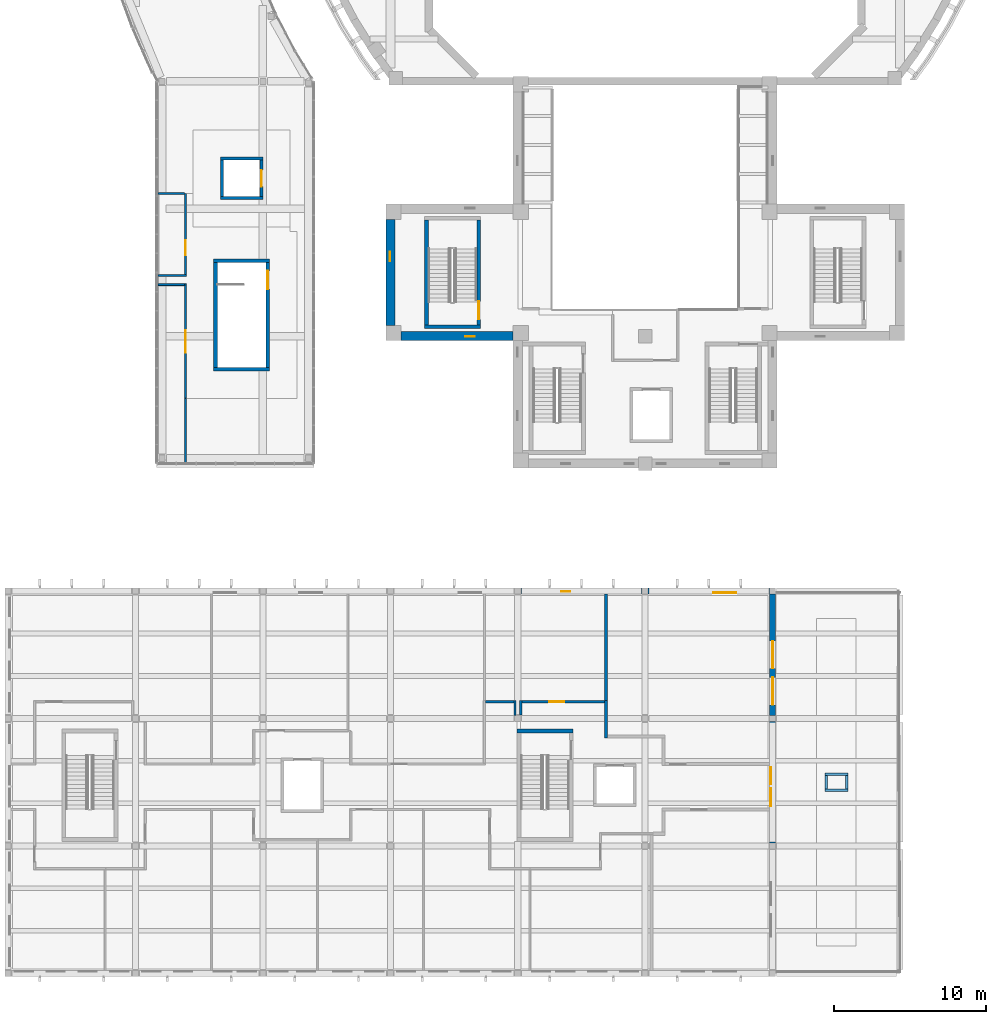
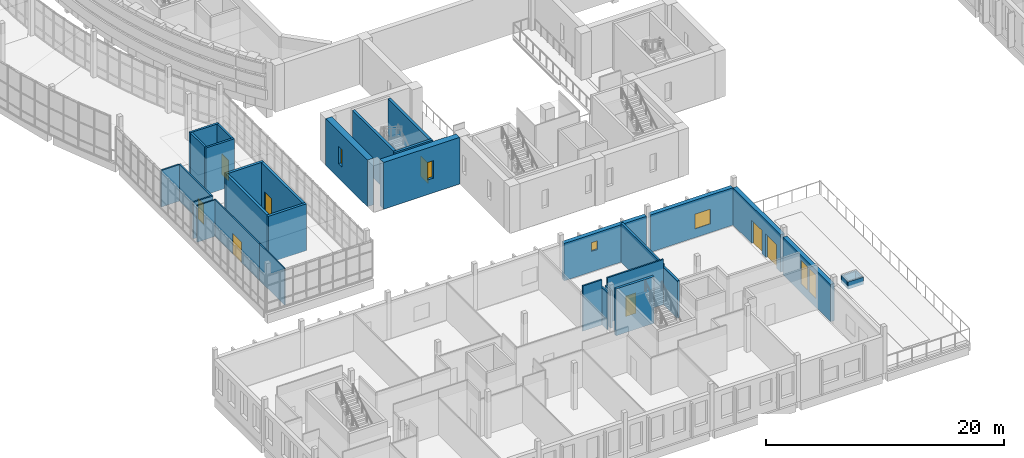
# One storey, part 52 of 103: 34 walls, 8 doors, 6 windows, 14 openings.
"""IFC4 building model written with IfcOpenShell, lengths in metres."""

from ifc_helpers import new_model, si_unit, direction, frame, frame_2d, origin, place, context, subcontext, project, spatial, rectangle, extrude, material, layer, layer_set, type_object, element, fill, save


model = new_model("IFC4")

# Units and contexts
model_context = context("Model", 3, precision=1e-05, world=origin(), true_north=direction((0.0, 1.0)))
body_context = subcontext(model_context, "Body", "Model", "MODEL_VIEW")
ifc_project = project(units=[si_unit("LENGTHUNIT", "METRE"), si_unit("AREAUNIT", "SQUARE_METRE"), si_unit("VOLUMEUNIT", "CUBIC_METRE"), si_unit("PLANEANGLEUNIT", "RADIAN"), si_unit("MASSUNIT", "GRAM", prefix="KILO")], contexts=[model_context])

# Site, building, storey
site_placement = place(None, origin())
site = spatial("IfcSite", under=ifc_project, at=site_placement, CompositionType="ELEMENT")
building_placement = place(site_placement, origin())
building = spatial("IfcBuilding", under=site, at=building_placement, Name="Larchfold Concert Hall", CompositionType="ELEMENT")
storey_placement = place(building_placement, frame((0.0, 0.0, 9.60009765625)))
storey = spatial("IfcBuildingStorey", under=building, at=storey_placement, Name="L02", CompositionType="ELEMENT", Elevation=9.60009765625)

# Walls
ifc_material_1 = material(Name="Plasterboard partition on steel studs", Category="steel")
ifc_layer_1 = layer(ifc_material_1, 0.199951171875)
ifc_layer_set_1 = layer_set([ifc_layer_1], Name="Plasterboard partition on steel studs")
wall_type_1 = type_object("IfcWallType", Name="Acoustic partition 200", PredefinedType="PARTITIONING", material=ifc_layer_set_1)
wall_1_placement = place(storey_placement, frame((40.0, 18.574951171875, 0.0), z_axis=(0.0, 0.0, 1.0), x_axis=(0.0, -1.0, 0.0)))
element("IfcWall", 1, at=wall_1_placement, inside=storey, type_object=wall_type_1, Name="Partition IW0097", PredefinedType="PARTITIONING", context=body_context, shape_type="SweptSolid", body=[
    extrude(rectangle(XDim=2.475830078125, YDim=0.199951171875, at=frame_2d((1.23779296875, 0.0))), origin(), (0.0, 0.0, 1.0), 3.840087890625),
])
wall_2_placement = place(storey_placement, frame((40.0, 18.574951171875, 0.0), z_axis=(0.0, 0.0, 1.0), x_axis=(0.0, 1.0, 0.0)))
element("IfcWall", 2, at=wall_2_placement, inside=storey, type_object=wall_type_1, Name="Partition IW0111", PredefinedType="PARTITIONING", context=body_context, shape_type="SweptSolid", body=[
    extrude(rectangle(XDim=7.025146484375, YDim=0.199951171875, at=frame_2d((3.5126953125, 0.0))), origin(), (0.0, 0.0, 1.0), 4.039794921875),
])

# Wall, opening, door
ifc_material_2 = material(Name="Plasterboard partition on steel studs", Category="steel")
ifc_layer_2 = layer(ifc_material_2, 0.125)
ifc_layer_set_2 = layer_set([ifc_layer_2], Name="Plasterboard partition on steel studs")
wall_type_2 = type_object("IfcWallType", Name="Corridor partition 125 EI 60", PredefinedType="PARTITIONING", material=ifc_layer_set_2)
wall_3_placement = place(storey_placement, frame((12.300048828125, 38.5, 0.0), z_axis=(0.0, 0.0, 1.0), x_axis=(0.0, 1.0, 0.0)))
wall_3 = element("IfcWall", 3, at=wall_3_placement, inside=storey, type_object=wall_type_2, Name="Partition IW0112", PredefinedType="PARTITIONING", context=body_context, shape_type="SweptSolid", body=[
    extrude(rectangle(XDim=7.5625, YDim=0.125, at=frame_2d((3.78125, 0.0))), origin(), (0.0, 0.0, 1.0), 3.75),
])
opening_1_placement = place(wall_3_placement, frame((2.990234375, 0.0, 0.0)))
opening_1 = element("IfcOpeningElement", 4, at=opening_1_placement, cuts=wall_3, Name="Opening D-L02-134", PredefinedType="OPENING", context=body_context, shape_type="SweptSolid", body=[
    extrude(rectangle(XDim=1.5, YDim=2.10009765625, at=frame_2d((0.75, 1.050048828125))), frame((0.0, 0.072509765625, 0.0), z_axis=(0.0, -1.0, 0.0), x_axis=(1.0, 0.0, 0.0)), (0.0, 0.0, 1.0), 0.14501953125),
])
ifc_material_3 = material(Name="Timber door leaf", Category="wood")
door_type_1 = type_object("IfcDoorType", Name="Cafe, shop and cloakroom door pair 1500 x 2100 FD30S", OperationType="SINGLE_SWING_LEFT", PredefinedType="DOOR", material=ifc_material_3)
door_1_placement = place(opening_1_placement, origin())
door_1 = element("IfcDoor", 5, at=door_1_placement, inside=storey, type_object=door_type_1, Name="Door D-L02-134", OperationType="DOUBLE_DOOR_SINGLE_SWING", OverallHeight=2.10009765625, OverallWidth=1.5, PredefinedType="DOOR", context=body_context, shape_type="SweptSolid", body=[
    extrude(rectangle(XDim=1.5, YDim=2.10009765625, at=frame_2d((0.75, 1.050048828125))), frame((0.0, 0.02490234375, 0.0), z_axis=(0.0, -1.0, 0.0), x_axis=(1.0, 0.0, 0.0)), (0.0, 0.0, 1.0), 0.050048828125),
])
fill(opening_1, door_1)

# Walls
wall_4_placement = place(storey_placement, frame((12.237548828125, 46.0, 0.0), z_axis=(0.0, 0.0, 1.0), x_axis=(-1.0, 0.0, 0.0)))
element("IfcWall", 6, at=wall_4_placement, inside=storey, type_object=wall_type_2, Name="Partition IW0113", PredefinedType="PARTITIONING", context=body_context, shape_type="SweptSolid", body=[
    extrude(rectangle(XDim=1.754150390625, YDim=0.125, at=frame_2d((0.876953125, 0.0))), origin(), (0.0, 0.0, 1.0), 3.75),
])
wall_5_placement = place(storey_placement, frame((12.300048828125, 38.5, 0.0), z_axis=(0.0, 0.0, 1.0), x_axis=(0.0, -1.0, 0.0)))
element("IfcWall", 7, at=wall_5_placement, inside=storey, type_object=wall_type_2, Name="Partition IW0116", PredefinedType="PARTITIONING", context=body_context, shape_type="SweptSolid", body=[
    extrude(rectangle(XDim=4.22509765625, YDim=0.125, at=frame_2d((2.112548828125, 0.0))), origin(), (0.0, 0.0, 1.0), 3.75),
])

# Wall, openings, windows
ifc_material_4 = material(Name="Larch cladding on mineral wool and CLT", Category="wood")
ifc_layer_3 = layer(ifc_material_4, 0.39990234375)
ifc_layer_set_3 = layer_set([ifc_layer_3], Name="Larch cladding on mineral wool and CLT")
wall_type_3 = type_object("IfcWallType", Name="Larch clad infill wall 400", PredefinedType="SOLIDWALL", material=ifc_layer_set_3)
wall_6_placement = place(storey_placement, frame((51.0, 9.199951171875, 0.0), z_axis=(0.0, 0.0, 1.0), x_axis=(0.0, 1.0, 0.0)))
wall_6 = element("IfcWall", 8, at=wall_6_placement, inside=storey, type_object=wall_type_3, Name="Infill wall W5035", PredefinedType="SOLIDWALL", context=body_context, shape_type="SweptSolid", body=[
    extrude(rectangle(XDim=8.0, YDim=0.39990234375, at=frame_2d((4.0, 0.0))), origin(), (0.0, 0.0, 1.0), 3.840087890625),
])
opening_2_placement = place(wall_6_placement, frame((2.405029296875, 0.0, 0.89990234375)))
opening_2 = element("IfcOpeningElement", 9, at=opening_2_placement, cuts=wall_6, Name="Opening WN-L02-019", PredefinedType="OPENING", context=body_context, shape_type="SweptSolid", body=[
    extrude(rectangle(XDim=1.199951171875, YDim=2.39990234375, at=frame_2d((0.60009765625, 1.199951171875))), frame((0.0, 0.2099609375, 0.0), z_axis=(0.0, -1.0, 0.0), x_axis=(1.0, 0.0, 0.0)), (0.0, 0.0, 1.0), 0.419921875),
])
opening_3_placement = place(wall_6_placement, frame((3.876953125, 0.0, 0.89990234375)))
opening_3 = element("IfcOpeningElement", 10, at=opening_3_placement, cuts=wall_6, Name="Opening WN-L02-020", PredefinedType="OPENING", context=body_context, shape_type="SweptSolid", body=[
    extrude(rectangle(XDim=1.10009765625, YDim=2.39990234375, at=frame_2d((0.550048828125, 1.199951171875))), frame((0.0, 0.2099609375, 0.0), z_axis=(0.0, -1.0, 0.0), x_axis=(1.0, 0.0, 0.0)), (0.0, 0.0, 1.0), 0.419921875),
])
ifc_material_5 = material(Name="Anodised graphite aluminium frame with glass", Category="aluminium")
window_type_1 = type_object("IfcWindowType", Name="Slot window 1100x2400", PartitioningType="SINGLE_PANEL", PredefinedType="WINDOW", material=ifc_material_5)
window_1_placement = place(opening_3_placement, origin())
window_1 = element("IfcWindow", 11, at=window_1_placement, inside=storey, type_object=window_type_1, Name="Window WN-L02-020", OverallHeight=2.39990234375, OverallWidth=1.10009765625, PartitioningType="SINGLE_PANEL", PredefinedType="WINDOW", context=body_context, shape_type="SweptSolid", body=[
    extrude(rectangle(XDim=1.10009765625, YDim=2.39990234375, at=frame_2d((0.550048828125, 1.199951171875))), frame((0.0, 0.150146484375, 0.0), z_axis=(0.0, -1.0, 0.0), x_axis=(1.0, 0.0, 0.0)), (0.0, 0.0, 1.0), 0.06005859375),
])
fill(opening_3, window_1)
ifc_material_6 = material(Name="Anodised graphite aluminium frame with glass", Category="aluminium")
window_type_2 = type_object("IfcWindowType", Name="Slot window 1200x2400", PartitioningType="SINGLE_PANEL", PredefinedType="WINDOW", material=ifc_material_6)
window_2_placement = place(opening_2_placement, origin())
window_2 = element("IfcWindow", 12, at=window_2_placement, inside=storey, type_object=window_type_2, Name="Window WN-L02-019", OverallHeight=2.39990234375, OverallWidth=1.199951171875, PartitioningType="SINGLE_PANEL", PredefinedType="WINDOW", context=body_context, shape_type="SweptSolid", body=[
    extrude(rectangle(XDim=1.199951171875, YDim=2.39990234375, at=frame_2d((0.60009765625, 1.199951171875))), frame((0.0, 0.150146484375, 0.0), z_axis=(0.0, -1.0, 0.0), x_axis=(1.0, 0.0, 0.0)), (0.0, 0.0, 1.0), 0.06005859375),
])
fill(opening_2, window_2)

# Wall, openings, doors
wall_7_placement = place(storey_placement, frame((51.0, 17.599853515625, 0.0), z_axis=(0.0, 0.0, 1.0), x_axis=(0.0, 1.0, 0.0)))
wall_7 = element("IfcWall", 13, at=wall_7_placement, inside=storey, type_object=wall_type_3, Name="Infill wall W5036", PredefinedType="SOLIDWALL", context=body_context, shape_type="SweptSolid", body=[
    extrude(rectangle(XDim=8.000244140625, YDim=0.39990234375, at=frame_2d((4.0, 0.0))), origin(), (0.0, 0.0, 1.0), 3.840087890625),
])
opening_4_placement = place(wall_7_placement, frame((3.10009765625, 0.0, 0.0)))
opening_4 = element("IfcOpeningElement", 14, at=opening_4_placement, cuts=wall_7, Name="Opening D-L02-201", PredefinedType="OPENING", context=body_context, shape_type="SweptSolid", body=[
    extrude(rectangle(XDim=1.800048828125, YDim=2.39990234375, at=frame_2d((0.89990234375, 1.199951171875))), frame((0.0, 0.2099609375, 0.0), z_axis=(0.0, -1.0, 0.0), x_axis=(1.0, 0.0, 0.0)), (0.0, 0.0, 1.0), 0.419921875),
])
opening_5_placement = place(wall_7_placement, frame((0.699951171875, 0.0, 0.0)))
opening_5 = element("IfcOpeningElement", 15, at=opening_5_placement, cuts=wall_7, Name="Opening D-L02-202", PredefinedType="OPENING", context=body_context, shape_type="SweptSolid", body=[
    extrude(rectangle(XDim=1.800048828125, YDim=2.39990234375, at=frame_2d((0.89990234375, 1.199951171875))), frame((0.0, 0.2099609375, 0.0), z_axis=(0.0, -1.0, 0.0), x_axis=(1.0, 0.0, 0.0)), (0.0, 0.0, 1.0), 0.419921875),
])
ifc_material_7 = material(Name="Anodised graphite aluminium door leaf", Category="aluminium")
door_type_2 = type_object("IfcDoorType", Name="Double door 1800x2400", OperationType="DOUBLE_DOOR_SINGLE_SWING", PredefinedType="DOOR", material=ifc_material_7)
door_2_placement = place(opening_4_placement, origin())
door_2 = element("IfcDoor", 16, at=door_2_placement, inside=storey, type_object=door_type_2, Name="Door D-L02-201", OperationType="DOUBLE_DOOR_SINGLE_SWING", OverallHeight=2.39990234375, OverallWidth=1.800048828125, PredefinedType="DOOR", context=body_context, shape_type="SweptSolid", body=[
    extrude(rectangle(XDim=1.800048828125, YDim=2.39990234375, at=frame_2d((0.89990234375, 1.199951171875))), frame((0.0, 0.02490234375, 0.0), z_axis=(0.0, -1.0, 0.0), x_axis=(1.0, 0.0, 0.0)), (0.0, 0.0, 1.0), 0.050048828125),
])
fill(opening_4, door_2)
door_3_placement = place(opening_5_placement, origin())
door_3 = element("IfcDoor", 17, at=door_3_placement, inside=storey, type_object=door_type_2, Name="Door D-L02-202", OperationType="DOUBLE_DOOR_SINGLE_SWING", OverallHeight=2.39990234375, OverallWidth=1.800048828125, PredefinedType="DOOR", context=body_context, shape_type="SweptSolid", body=[
    extrude(rectangle(XDim=1.800048828125, YDim=2.39990234375, at=frame_2d((0.89990234375, 1.199951171875))), frame((0.0, 0.02490234375, 0.0), z_axis=(0.0, -1.0, 0.0), x_axis=(1.0, 0.0, 0.0)), (0.0, 0.0, 1.0), 0.050048828125),
])
fill(opening_5, door_3)

# Wall, opening, window
wall_8_placement = place(storey_placement, frame((50.800048828125, 25.800048828125, 0.0), z_axis=(0.0, 0.0, 1.0), x_axis=(-1.0, 0.0, 0.0)))
wall_8 = element("IfcWall", 18, at=wall_8_placement, inside=storey, type_object=wall_type_3, Name="Infill wall W5037", PredefinedType="SOLIDWALL", context=body_context, shape_type="SweptSolid", body=[
    extrude(rectangle(XDim=8.0, YDim=0.39990234375, at=frame_2d((4.0, 0.0))), origin(), (0.0, 0.0, 1.0), 3.840087890625),
])
opening_6_placement = place(wall_8_placement, frame((2.199951171875, 0.0, 0.89990234375)))
opening_6 = element("IfcOpeningElement", 19, at=opening_6_placement, cuts=wall_8, Name="Opening WN-L02-021", PredefinedType="OPENING", context=body_context, shape_type="SweptSolid", body=[
    extrude(rectangle(XDim=1.5, YDim=1.5, at=frame_2d((0.75, 0.75))), frame((0.0, 0.2099609375, 0.0), z_axis=(0.0, -1.0, 0.0), x_axis=(1.0, 0.0, 0.0)), (0.0, 0.0, 1.0), 0.419921875),
])
ifc_material_8 = material(Name="Anodised graphite aluminium frame with glass", Category="aluminium")
window_type_3 = type_object("IfcWindowType", Name="Studio window 1500x1500", PartitioningType="DOUBLE_PANEL_VERTICAL", PredefinedType="WINDOW", material=ifc_material_8)
window_3_placement = place(opening_6_placement, origin())
window_3 = element("IfcWindow", 20, at=window_3_placement, inside=storey, type_object=window_type_3, Name="Window WN-L02-021", OverallHeight=1.5, OverallWidth=1.5, PartitioningType="DOUBLE_PANEL_VERTICAL", PredefinedType="WINDOW", context=body_context, shape_type="SweptSolid", body=[
    extrude(rectangle(XDim=1.5, YDim=1.5, at=frame_2d((0.75, 0.75))), frame((0.0, 0.150146484375, 0.0), z_axis=(0.0, -1.0, 0.0), x_axis=(1.0, 0.0, 0.0)), (0.0, 0.0, 1.0), 0.06005859375),
])
fill(opening_6, window_3)

wall_9_placement = place(storey_placement, frame((42.400146484375, 25.800048828125, 0.0), z_axis=(0.0, 0.0, 1.0), x_axis=(-1.0, 0.0, 0.0)))
wall_9 = element("IfcWall", 21, at=wall_9_placement, inside=storey, type_object=wall_type_3, Name="Infill wall W5038", PredefinedType="SOLIDWALL", context=body_context, shape_type="SweptSolid", body=[
    extrude(rectangle(XDim=8.000244140625, YDim=0.39990234375, at=frame_2d((4.0, 0.0))), origin(), (0.0, 0.0, 1.0), 3.840087890625),
])
opening_7_placement = place(wall_9_placement, frame((4.750244140625, 0.0, 2.10009765625)))
opening_7 = element("IfcOpeningElement", 22, at=opening_7_placement, cuts=wall_9, Name="Opening WN-L02-022", PredefinedType="OPENING", context=body_context, shape_type="SweptSolid", body=[
    extrude(rectangle(XDim=0.60009765625, YDim=0.89990234375, at=frame_2d((0.300048828125, 0.449951171875))), frame((0.0, 0.2099609375, 0.0), z_axis=(0.0, -1.0, 0.0), x_axis=(1.0, 0.0, 0.0)), (0.0, 0.0, 1.0), 0.419921875),
])
ifc_material_9 = material(Name="Anodised graphite aluminium frame with glass", Category="aluminium")
window_type_4 = type_object("IfcWindowType", Name="Store high window 600x900", PartitioningType="SINGLE_PANEL", PredefinedType="WINDOW", material=ifc_material_9)
window_4_placement = place(opening_7_placement, origin())
window_4 = element("IfcWindow", 23, at=window_4_placement, inside=storey, type_object=window_type_4, Name="Window WN-L02-022", OverallHeight=0.89990234375, OverallWidth=0.60009765625, PartitioningType="SINGLE_PANEL", PredefinedType="WINDOW", context=body_context, shape_type="SweptSolid", body=[
    extrude(rectangle(XDim=0.60009765625, YDim=0.89990234375, at=frame_2d((0.300048828125, 0.449951171875))), frame((0.0, 0.06005859375, 0.0), z_axis=(0.0, -1.0, 0.0), x_axis=(1.0, 0.0, 0.0)), (0.0, 0.0, 1.0), 0.06005859375),
])
fill(opening_7, window_4)

# Walls
ifc_material_10 = material(Name="Insulated steel upstand S355", Category="steel")
ifc_layer_4 = layer(ifc_material_10, 0.14990234375)
ifc_layer_set_4 = layer_set([ifc_layer_4], Name="Insulated steel upstand S355")
wall_type_4 = type_object("IfcWallType", Name="Roof hatch curb 150", PredefinedType="PARAPET", material=ifc_layer_set_4)
for number, where, z_axis, x_axis, name in (
    (24, (54.4599609375, 12.67529296875, 0.0), (0.0, 0.0, 1.0), (1.0, 0.0, 0.0), "Roof upstand curb HC05"),
    (25, (54.4599609375, 13.72509765625, 0.0), (0.0, 0.0, 1.0), (1.0, 0.0, 0.0), "Roof upstand curb HC06"),
):
    element("IfcWall", number, at=place(storey_placement, frame(where, z_axis=z_axis, x_axis=x_axis)), inside=storey, type_object=wall_type_4, Name=name, PredefinedType="PARAPET", context=body_context, shape_type="SweptSolid", body=[
        extrude(rectangle(XDim=1.5, YDim=0.14990234375, at=frame_2d((0.75, 0.0))), origin(), (0.0, 0.0, 1.0), 0.739990234375),
    ])
for number, where, z_axis, x_axis, name in (
    (26, (54.534912109375, 12.750244140625, 0.0), (0.0, 0.0, 1.0), (0.0, 1.0, 0.0), "Roof upstand curb HC07"),
    (27, (55.885009765625, 12.750244140625, 0.0), (0.0, 0.0, 1.0), (0.0, 1.0, 0.0), "Roof upstand curb HC08"),
):
    element("IfcWall", number, at=place(storey_placement, frame(where, z_axis=z_axis, x_axis=x_axis)), inside=storey, type_object=wall_type_4, Name=name, PredefinedType="PARAPET", context=body_context, shape_type="SweptSolid", body=[
        extrude(rectangle(XDim=0.89990234375, YDim=0.14990234375, at=frame_2d((0.449951171875, 0.0))), origin(), (0.0, 0.0, 1.0), 0.739990234375),
    ])
ifc_material_11 = material(Name="Plasterboard partition on steel studs", Category="steel")
ifc_layer_5 = layer(ifc_material_11, 0.14990234375)
ifc_layer_set_5 = layer_set([ifc_layer_5], Name="Plasterboard partition on steel studs")
wall_type_5 = type_object("IfcWallType", Name="Shaft and plant partition 150 EI 120", PredefinedType="PARTITIONING", material=ifc_layer_set_5)
wall_10_placement = place(storey_placement, frame((32.0625, 18.5, 0.0), z_axis=(0.0, 0.0, 1.0), x_axis=(1.0, 0.0, 0.0)))
element("IfcWall", 28, at=wall_10_placement, inside=storey, type_object=wall_type_5, Name="Partition IW0104", PredefinedType="PARTITIONING", context=body_context, shape_type="SweptSolid", body=[
    extrude(rectangle(XDim=1.87255859375, YDim=0.14990234375, at=frame_2d((0.936279296875, 0.0))), origin(), (0.0, 0.0, 1.0), 4.639892578125),
])
wall_11_placement = place(storey_placement, frame((34.010009765625, 18.574951171875, 0.0), z_axis=(0.0, 0.0, 1.0), x_axis=(0.0, -1.0, 0.0)))
element("IfcWall", 29, at=wall_11_placement, inside=storey, type_object=wall_type_5, Name="Partition IW0105", PredefinedType="PARTITIONING", context=body_context, shape_type="SweptSolid", body=[
    extrude(rectangle(XDim=0.974853515625, YDim=0.14990234375, at=frame_2d((0.4873046875, 0.0))), origin(), (0.0, 0.0, 1.0), 3.840087890625),
])
wall_12_placement = place(storey_placement, frame((34.387939453125, 17.619873046875, 0.0), z_axis=(0.0, 0.0, 1.0), x_axis=(0.002300607409, 0.999997353599, 0.0)))
element("IfcWall", 30, at=wall_12_placement, inside=storey, type_object=wall_type_5, Name="Partition IW0106", PredefinedType="PARTITIONING", context=body_context, shape_type="SweptSolid", body=[
    extrude(rectangle(XDim=0.955078125, YDim=0.14990234375, at=frame_2d((0.4775390625, 0.0))), origin(), (0.0, 0.0, 1.0), 3.840087890625),
])

# Wall, opening, door
wall_13_placement = place(storey_placement, frame((34.465087890625, 18.5, 0.0), z_axis=(0.0, 0.0, 1.0), x_axis=(1.0, 0.0, 0.0)))
wall_13 = element("IfcWall", 31, at=wall_13_placement, inside=storey, type_object=wall_type_5, Name="Partition IW0107", PredefinedType="PARTITIONING", context=body_context, shape_type="SweptSolid", body=[
    extrude(rectangle(XDim=5.434814453125, YDim=0.14990234375, at=frame_2d((2.71728515625, 0.0))), origin(), (0.0, 0.0, 1.0), 4.639892578125),
])
opening_8_placement = place(wall_13_placement, frame((1.80517578125, 0.0, 0.0)))
opening_8 = element("IfcOpeningElement", 32, at=opening_8_placement, cuts=wall_13, Name="Opening D-L02-133", PredefinedType="OPENING", context=body_context, shape_type="SweptSolid", body=[
    extrude(rectangle(XDim=1.0, YDim=2.10009765625, at=frame_2d((0.5, 1.050048828125))), frame((0.0, 0.0849609375, 0.0), z_axis=(0.0, -1.0, 0.0), x_axis=(1.0, 0.0, 0.0)), (0.0, 0.0, 1.0), 0.169921875),
])
ifc_material_12 = material(Name="Timber door leaf", Category="wood")
door_type_3 = type_object("IfcDoorType", Name="Store door 1000 x 2100 FD60", OperationType="SINGLE_SWING_LEFT", PredefinedType="DOOR", material=ifc_material_12)
door_4_placement = place(opening_8_placement, origin())
door_4 = element("IfcDoor", 33, at=door_4_placement, inside=storey, type_object=door_type_3, Name="Door D-L02-133", OperationType="SINGLE_SWING_LEFT", OverallHeight=2.10009765625, OverallWidth=1.0, PredefinedType="DOOR", context=body_context, shape_type="SweptSolid", body=[
    extrude(rectangle(XDim=1.0, YDim=2.10009765625, at=frame_2d((0.5, 1.050048828125))), frame((0.0, 0.02490234375, 0.0), z_axis=(0.0, -1.0, 0.0), x_axis=(1.0, 0.0, 0.0)), (0.0, 0.0, 1.0), 0.050048828125),
])
fill(opening_8, door_4)

# Wall
wall_14_placement = place(storey_placement, frame((10.4833984375, 46.60009765625, 0.0), z_axis=(0.0, 0.0, 1.0), x_axis=(1.0, 0.0, 0.0)))
element("IfcWall", 34, at=wall_14_placement, inside=storey, type_object=wall_type_5, Name="Partition IW0114", PredefinedType="PARTITIONING", context=body_context, shape_type="SweptSolid", body=[
    extrude(rectangle(XDim=1.8916015625, YDim=0.14990234375, at=frame_2d((0.94580078125, 0.0))), origin(), (0.0, 0.0, 1.0), 3.75),
])

# Wall, opening, door
wall_15_placement = place(storey_placement, frame((12.300048828125, 46.675048828125, 0.0), z_axis=(0.0, 0.0, 1.0), x_axis=(0.0, 1.0, 0.0)))
wall_15 = element("IfcWall", 35, at=wall_15_placement, inside=storey, type_object=wall_type_5, Name="Partition IW0115", PredefinedType="PARTITIONING", context=body_context, shape_type="SweptSolid", body=[
    extrude(rectangle(XDim=5.324951171875, YDim=0.14990234375, at=frame_2d((2.66259765625, 0.0))), origin(), (0.0, 0.0, 1.0), 3.75),
])
opening_9_placement = place(wall_15_placement, frame((1.244140625, 0.0, 0.0)))
opening_9 = element("IfcOpeningElement", 36, at=opening_9_placement, cuts=wall_15, Name="Opening D-L02-135", PredefinedType="OPENING", context=body_context, shape_type="SweptSolid", body=[
    extrude(rectangle(XDim=1.0, YDim=2.10009765625, at=frame_2d((0.5, 1.050048828125))), frame((0.0, 0.0849609375, 0.0), z_axis=(0.0, -1.0, 0.0), x_axis=(1.0, 0.0, 0.0)), (0.0, 0.0, 1.0), 0.169921875),
])
door_5_placement = place(opening_9_placement, origin())
door_5 = element("IfcDoor", 37, at=door_5_placement, inside=storey, type_object=door_type_3, Name="Door D-L02-135", OperationType="SINGLE_SWING_RIGHT", OverallHeight=2.10009765625, OverallWidth=1.0, PredefinedType="DOOR", context=body_context, shape_type="SweptSolid", body=[
    extrude(rectangle(XDim=1.0, YDim=2.10009765625, at=frame_2d((0.5, 1.050048828125))), frame((0.0, 0.02490234375, 0.0), z_axis=(0.0, -1.0, 0.0), x_axis=(1.0, 0.0, 0.0)), (0.0, 0.0, 1.0), 0.050048828125),
])
fill(opening_9, door_5)

# Walls
wall_16_placement = place(storey_placement, frame((12.22509765625, 52.0, 0.0), z_axis=(0.0, 0.0, 1.0), x_axis=(-1.0, 0.0, 0.0)))
element("IfcWall", 38, at=wall_16_placement, inside=storey, type_object=wall_type_5, Name="Partition IW0117", PredefinedType="PARTITIONING", context=body_context, shape_type="SweptSolid", body=[
    extrude(rectangle(XDim=1.74169921875, YDim=0.14990234375, at=frame_2d((0.870849609375, 0.0))), origin(), (0.0, 0.0, 1.0), 3.75),
])
ifc_material_13 = material(Name="Concrete C40/50", Category="concrete")
ifc_layer_6 = layer(ifc_material_13, 0.199951171875)
ifc_layer_set_6 = layer_set([ifc_layer_6], Name="Concrete C40/50")
wall_type_6 = type_object("IfcWallType", Name="Wall RC 200 lift shaft", PredefinedType="SOLIDWALL", material=ifc_layer_set_6)
for number, where, z_axis, x_axis, name in (
    (39, (14.60009765625, 51.7001953125, 0.0), (0.0, 0.0, 1.0), (1.0, 0.0, 0.0), "Wall W0171"),
    (40, (14.60009765625, 54.2998046875, 0.0), (0.0, 0.0, 1.0), (1.0, 0.0, 0.0), "Wall W0172"),
):
    element("IfcWall", number, at=place(storey_placement, frame(where, z_axis=z_axis, x_axis=x_axis)), inside=storey, type_object=wall_type_6, Name=name, PredefinedType="SOLIDWALL", context=body_context, shape_type="SweptSolid", body=[
        extrude(rectangle(XDim=2.7998046875, YDim=0.199951171875, at=frame_2d((1.39990234375, 0.0))), origin(), (0.0, 0.0, 1.0), 4.7998046875),
    ])
wall_17_placement = place(storey_placement, frame((14.7001953125, 51.800048828125, 0.0), z_axis=(0.0, 0.0, 1.0), x_axis=(0.0, 1.0, 0.0)))
element("IfcWall", 41, at=wall_17_placement, inside=storey, type_object=wall_type_6, Name="Wall W0173", PredefinedType="SOLIDWALL", context=body_context, shape_type="SweptSolid", body=[
    extrude(rectangle(XDim=2.39990234375, YDim=0.199951171875, at=frame_2d((1.199951171875, 0.0))), origin(), (0.0, 0.0, 1.0), 4.7998046875),
])

# Wall, opening, door
wall_18_placement = place(storey_placement, frame((17.2998046875, 51.800048828125, 0.0), z_axis=(0.0, 0.0, 1.0), x_axis=(0.0, 1.0, 0.0)))
wall_18 = element("IfcWall", 42, at=wall_18_placement, inside=storey, type_object=wall_type_6, Name="Wall W0174", PredefinedType="SOLIDWALL", context=body_context, shape_type="SweptSolid", body=[
    extrude(rectangle(XDim=2.39990234375, YDim=0.199951171875, at=frame_2d((1.199951171875, 0.0))), origin(), (0.0, 0.0, 1.0), 4.7998046875),
])
opening_10_placement = place(wall_18_placement, frame((0.64990234375, 0.0, 0.0)))
opening_10 = element("IfcOpeningElement", 43, at=opening_10_placement, cuts=wall_18, Name="Opening LD-LF12", PredefinedType="OPENING", context=body_context, shape_type="SweptSolid", body=[
    extrude(rectangle(XDim=1.10009765625, YDim=2.10009765625, at=frame_2d((0.550048828125, 1.050048828125))), frame((0.0, 0.10986328125, 0.0), z_axis=(0.0, -1.0, 0.0), x_axis=(1.0, 0.0, 0.0)), (0.0, 0.0, 1.0), 0.219970703125),
])
ifc_material_14 = material(Name="Stainless steel sliding leaves", Category="steel")
door_type_4 = type_object("IfcDoorType", Name="Lift landing door sliding 1100 x 2100", OperationType="SLIDING_TO_LEFT", PredefinedType="DOOR", material=ifc_material_14)
door_6_placement = place(opening_10_placement, origin())
door_6 = element("IfcDoor", 44, at=door_6_placement, inside=storey, type_object=door_type_4, Name="Lift landing door LF12", OperationType="SLIDING_TO_LEFT", OverallHeight=2.10009765625, OverallWidth=1.10009765625, PredefinedType="DOOR", context=body_context, shape_type="SweptSolid", body=[
    extrude(rectangle(XDim=1.10009765625, YDim=2.10009765625, at=frame_2d((0.550048828125, 1.050048828125))), frame((0.0, 0.02490234375, 0.0), z_axis=(0.0, -1.0, 0.0), x_axis=(1.0, 0.0, 0.0)), (0.0, 0.0, 1.0), 0.050048828125),
])
fill(opening_10, door_6)

# Walls
ifc_material_15 = material(Name="Concrete C40/50", Category="concrete")
ifc_layer_7 = layer(ifc_material_15, 0.25)
ifc_layer_set_7 = layer_set([ifc_layer_7], Name="Concrete C40/50")
wall_type_7 = type_object("IfcWallType", Name="Wall RC 250 stair core", PredefinedType="SOLIDWALL", material=ifc_layer_set_7)
wall_19_placement = place(storey_placement, frame((28.050048828125, 43.22509765625, 0.0), z_axis=(0.0, 0.0, 1.0), x_axis=(1.0, 0.0, 0.0)))
element("IfcWall", 45, at=wall_19_placement, inside=storey, type_object=wall_type_7, Name="Wall W0063", PredefinedType="SOLIDWALL", context=body_context, shape_type="SweptSolid", body=[
    extrude(rectangle(XDim=3.699951171875, YDim=0.25, at=frame_2d((1.85009765625, 0.0))), origin(), (0.0, 0.0, 1.0), 4.7998046875),
])
wall_20_placement = place(storey_placement, frame((28.175048828125, 43.35009765625, 0.0), z_axis=(0.0, 0.0, 1.0), x_axis=(0.0, 1.0, 0.0)))
element("IfcWall", 46, at=wall_20_placement, inside=storey, type_object=wall_type_7, Name="Wall W0065", PredefinedType="SOLIDWALL", context=body_context, shape_type="SweptSolid", body=[
    extrude(rectangle(XDim=6.89990234375, YDim=0.25, at=frame_2d((3.449951171875, 0.0))), origin(), (0.0, 0.0, 1.0), 4.7998046875),
])

# Wall, opening, door
wall_21_placement = place(storey_placement, frame((31.625, 43.35009765625, 0.0), z_axis=(0.0, 0.0, 1.0), x_axis=(0.0, 1.0, 0.0)))
wall_21 = element("IfcWall", 47, at=wall_21_placement, inside=storey, type_object=wall_type_7, Name="Wall W0066", PredefinedType="SOLIDWALL", context=body_context, shape_type="SweptSolid", body=[
    extrude(rectangle(XDim=6.89990234375, YDim=0.25, at=frame_2d((3.449951171875, 0.0))), origin(), (0.0, 0.0, 1.0), 4.7998046875),
])
opening_11_placement = place(wall_21_placement, frame((0.35009765625, 0.0, 0.0)))
opening_11 = element("IfcOpeningElement", 48, at=opening_11_placement, cuts=wall_21, Name="Opening D-L02-147", PredefinedType="OPENING", context=body_context, shape_type="SweptSolid", body=[
    extrude(rectangle(XDim=1.199951171875, YDim=2.10009765625, at=frame_2d((0.60009765625, 1.050048828125))), frame((0.0, 0.135009765625, 0.0), z_axis=(0.0, -1.0, 0.0), x_axis=(1.0, 0.0, 0.0)), (0.0, 0.0, 1.0), 0.27001953125),
])
ifc_material_16 = material(Name="Timber door leaf", Category="wood")
door_type_5 = type_object("IfcDoorType", Name="Stair enclosure door pair 1200 x 2100 FD60", OperationType="SINGLE_SWING_LEFT", PredefinedType="DOOR", material=ifc_material_16)
door_7_placement = place(opening_11_placement, origin())
door_7 = element("IfcDoor", 49, at=door_7_placement, inside=storey, type_object=door_type_5, Name="Door D-L02-147", OperationType="DOUBLE_DOOR_SINGLE_SWING", OverallHeight=2.10009765625, OverallWidth=1.199951171875, PredefinedType="DOOR", context=body_context, shape_type="SweptSolid", body=[
    extrude(rectangle(XDim=1.199951171875, YDim=2.10009765625, at=frame_2d((0.60009765625, 1.050048828125))), frame((0.0, 0.02490234375, 0.0), z_axis=(0.0, -1.0, 0.0), x_axis=(1.0, 0.0, 0.0)), (0.0, 0.0, 1.0), 0.050048828125),
])
fill(opening_11, door_7)

# Walls
for number, where, z_axis, x_axis, name in (
    (50, (34.14990234375, 16.574951171875, 0.0), (0.0, 0.0, 1.0), (1.0, 0.0, 0.0), "Wall W0108"),
    (51, (14.14990234375, 40.425048828125, 0.0), (0.0, 0.0, 1.0), (1.0, 0.0, 0.0), "Wall W0111"),
    (52, (14.14990234375, 47.574951171875, 0.0), (0.0, 0.0, 1.0), (1.0, 0.0, 0.0), "Wall W0112"),
):
    element("IfcWall", number, at=place(storey_placement, frame(where, z_axis=z_axis, x_axis=x_axis)), inside=storey, type_object=wall_type_7, Name=name, PredefinedType="SOLIDWALL", context=body_context, shape_type="SweptSolid", body=[
        extrude(rectangle(XDim=3.7001953125, YDim=0.25, at=frame_2d((1.85009765625, 0.0))), origin(), (0.0, 0.0, 1.0), 4.7998046875),
    ])
wall_22_placement = place(storey_placement, frame((14.27490234375, 40.550048828125, 0.0), z_axis=(0.0, 0.0, 1.0), x_axis=(0.0, 1.0, 0.0)))
element("IfcWall", 53, at=wall_22_placement, inside=storey, type_object=wall_type_7, Name="Wall W0113", PredefinedType="SOLIDWALL", context=body_context, shape_type="SweptSolid", body=[
    extrude(rectangle(XDim=6.89990234375, YDim=0.25, at=frame_2d((3.449951171875, 0.0))), origin(), (0.0, 0.0, 1.0), 4.7998046875),
])

# Wall, opening, door
wall_23_placement = place(storey_placement, frame((17.72509765625, 40.550048828125, 0.0), z_axis=(0.0, 0.0, 1.0), x_axis=(0.0, 1.0, 0.0)))
wall_23 = element("IfcWall", 54, at=wall_23_placement, inside=storey, type_object=wall_type_7, Name="Wall W0114", PredefinedType="SOLIDWALL", context=body_context, shape_type="SweptSolid", body=[
    extrude(rectangle(XDim=6.89990234375, YDim=0.25, at=frame_2d((3.449951171875, 0.0))), origin(), (0.0, 0.0, 1.0), 4.7998046875),
])
opening_12_placement = place(wall_23_placement, frame((5.14990234375, 0.0, 0.0)))
opening_12 = element("IfcOpeningElement", 55, at=opening_12_placement, cuts=wall_23, Name="Opening D-L02-157", PredefinedType="OPENING", context=body_context, shape_type="SweptSolid", body=[
    extrude(rectangle(XDim=1.199951171875, YDim=2.10009765625, at=frame_2d((0.60009765625, 1.050048828125))), frame((0.0, 0.135009765625, 0.0), z_axis=(0.0, -1.0, 0.0), x_axis=(1.0, 0.0, 0.0)), (0.0, 0.0, 1.0), 0.27001953125),
])
door_8_placement = place(opening_12_placement, origin())
door_8 = element("IfcDoor", 56, at=door_8_placement, inside=storey, type_object=door_type_5, Name="Door D-L02-157", OperationType="DOUBLE_DOOR_SINGLE_SWING", OverallHeight=2.10009765625, OverallWidth=1.199951171875, PredefinedType="DOOR", context=body_context, shape_type="SweptSolid", body=[
    extrude(rectangle(XDim=1.199951171875, YDim=2.10009765625, at=frame_2d((0.60009765625, 1.050048828125))), frame((0.0, 0.02490234375, 0.0), z_axis=(0.0, -1.0, 0.0), x_axis=(1.0, 0.0, 0.0)), (0.0, 0.0, 1.0), 0.050048828125),
])
fill(opening_12, door_8)

# Wall, opening, window
ifc_material_17 = material(Name="Concrete C40/50", Category="concrete")
ifc_layer_8 = layer(ifc_material_17, 0.60009765625)
ifc_layer_set_8 = layer_set([ifc_layer_8], Name="Concrete C40/50")
wall_type_8 = type_object("IfcWallType", Name="Wall RC 600 stage house", PredefinedType="SOLIDWALL", material=ifc_layer_set_8)
wall_24_placement = place(storey_placement, frame((25.800048828125, 50.300048828125, 0.0), z_axis=(0.0, 0.0, 1.0), x_axis=(0.0, -1.0, 0.0)))
wall_24 = element("IfcWall", 57, at=wall_24_placement, inside=storey, type_object=wall_type_8, Name="Wall W0014", PredefinedType="SOLIDWALL", context=body_context, shape_type="SweptSolid", body=[
    extrude(rectangle(XDim=7.0, YDim=0.60009765625, at=frame_2d((3.5, 0.0))), origin(), (0.0, 0.0, 1.0), 4.7998046875),
])
opening_13_placement = place(wall_24_placement, frame((2.150146484375, 0.0, 1.5)))
opening_13 = element("IfcOpeningElement", 58, at=opening_13_placement, cuts=wall_24, Name="Opening WN-L02-007", PredefinedType="OPENING", context=body_context, shape_type="SweptSolid", body=[
    extrude(rectangle(XDim=0.60009765625, YDim=1.800048828125, at=frame_2d((0.300048828125, 0.89990234375))), frame((0.0, 0.31005859375, 0.0), z_axis=(0.0, -1.0, 0.0), x_axis=(1.0, 0.0, 0.0)), (0.0, 0.0, 1.0), 0.6201171875),
])
ifc_material_18 = material(Name="Anodised graphite aluminium frame with glass", Category="aluminium")
window_type_5 = type_object("IfcWindowType", Name="Gallery slit window 600x1800", PartitioningType="SINGLE_PANEL", PredefinedType="WINDOW", material=ifc_material_18)
window_5_placement = place(opening_13_placement, origin())
window_5 = element("IfcWindow", 59, at=window_5_placement, inside=storey, type_object=window_type_5, Name="Window WN-L02-007", OverallHeight=1.800048828125, OverallWidth=0.60009765625, PartitioningType="SINGLE_PANEL", PredefinedType="WINDOW", context=body_context, shape_type="SweptSolid", body=[
    extrude(rectangle(XDim=0.60009765625, YDim=1.800048828125, at=frame_2d((0.300048828125, 0.89990234375))), frame((0.0, 0.010009765625, 0.0), z_axis=(0.0, -1.0, 0.0), x_axis=(1.0, 0.0, 0.0)), (0.0, 0.0, 1.0), 0.06005859375),
])
fill(opening_13, window_5)

wall_25_placement = place(storey_placement, frame((26.5, 42.60009765625, 0.0), z_axis=(0.0, 0.0, 1.0), x_axis=(1.0, 0.0, 0.0)))
wall_25 = element("IfcWall", 60, at=wall_25_placement, inside=storey, type_object=wall_type_8, Name="Wall W0015", PredefinedType="SOLIDWALL", context=body_context, shape_type="SweptSolid", body=[
    extrude(rectangle(XDim=7.39990234375, YDim=0.60009765625, at=frame_2d((3.699951171875, 0.0))), origin(), (0.0, 0.0, 1.0), 4.7998046875),
])
opening_14_placement = place(wall_25_placement, frame((4.25, 0.0, 1.5)))
opening_14 = element("IfcOpeningElement", 61, at=opening_14_placement, cuts=wall_25, Name="Opening WN-L02-008", PredefinedType="OPENING", context=body_context, shape_type="SweptSolid", body=[
    extrude(rectangle(XDim=0.60009765625, YDim=1.800048828125, at=frame_2d((0.300048828125, 0.89990234375))), frame((0.0, 0.31005859375, 0.0), z_axis=(0.0, -1.0, 0.0), x_axis=(1.0, 0.0, 0.0)), (0.0, 0.0, 1.0), 0.6201171875),
])
window_6_placement = place(opening_14_placement, origin())
window_6 = element("IfcWindow", 62, at=window_6_placement, inside=storey, type_object=window_type_5, Name="Window WN-L02-008", OverallHeight=1.800048828125, OverallWidth=0.60009765625, PartitioningType="SINGLE_PANEL", PredefinedType="WINDOW", context=body_context, shape_type="SweptSolid", body=[
    extrude(rectangle(XDim=0.60009765625, YDim=1.800048828125, at=frame_2d((0.300048828125, 0.89990234375))), frame((0.0, 0.010009765625, 0.0), z_axis=(0.0, -1.0, 0.0), x_axis=(1.0, 0.0, 0.0)), (0.0, 0.0, 1.0), 0.06005859375),
])
fill(opening_14, window_6)

save(model, "model.ifc")
